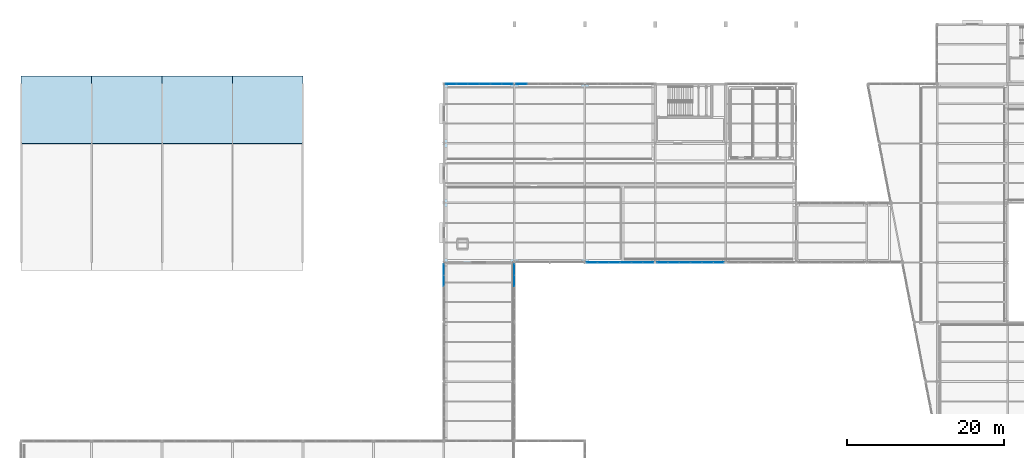
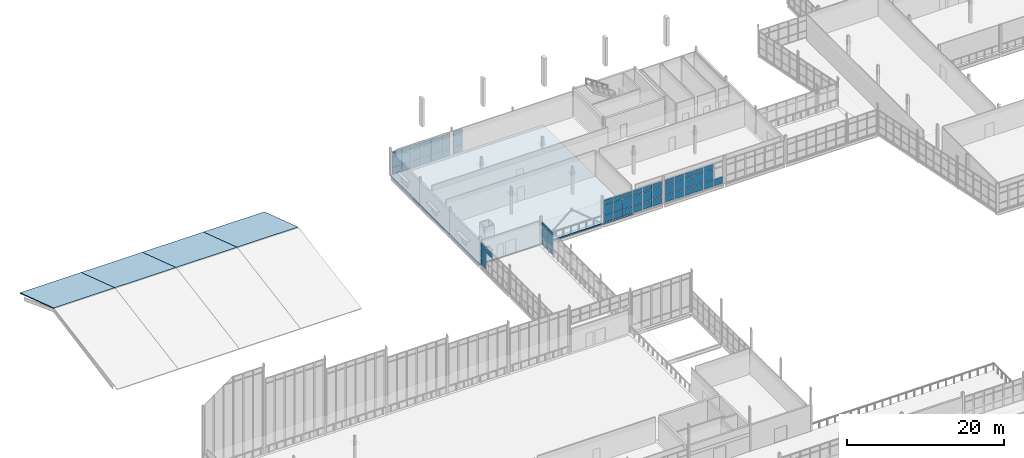
# One storey, part 131 of 166: 65 plates, 5 slabs, 6 elements without a shape of their own.
"""IFC4 building model written with IfcOpenShell, lengths in metres."""

from ifc_helpers import new_model, si_unit, direction, frame, origin, origin_2d, place, context, subcontext, project, spatial, polyline, rectangle, outline, extrude, material, layer, layer_set, type_object, element, aggregate, save


model = new_model("IFC4")

# Units and contexts
model_context = context("Model", 3, precision=1e-05, world=origin(), true_north=direction((0.0, 1.0)))
body_context = subcontext(model_context, "Body", "Model", "MODEL_VIEW")
ifc_project = project(units=[si_unit("LENGTHUNIT", "METRE"), si_unit("AREAUNIT", "SQUARE_METRE"), si_unit("VOLUMEUNIT", "CUBIC_METRE"), si_unit("PLANEANGLEUNIT", "RADIAN"), si_unit("MASSUNIT", "GRAM", prefix="KILO")], contexts=[model_context])

# Site, building, storey
site_placement = place(None, origin())
site = spatial("IfcSite", under=ifc_project, at=site_placement, CompositionType="ELEMENT")
building_placement = place(site_placement, origin())
building = spatial("IfcBuilding", under=site, at=building_placement, Name="Caisbarro Railhouse Central Library", CompositionType="ELEMENT")
storey_placement = place(building_placement, frame((0.0, 0.0, 9.360107421875)))
storey = spatial("IfcBuildingStorey", under=building, at=storey_placement, Name="L02", CompositionType="ELEMENT", Elevation=9.360107421875)

# Curtain wall, plates
ifc_material_1 = material(Name="Anodised architectural aluminium", Category="aluminium")
curtain_wall_type_1 = type_object("IfcCurtainWallType", Name="CW-CW02", PredefinedType="NOTDEFINED", material=ifc_material_1)
curtain_wall_1_placement = place(storey_placement, origin())
curtain_wall_1 = element("IfcCurtainWall", 1, at=curtain_wall_1_placement, inside=storey, type_object=curtain_wall_type_1, Name="CW02 curtain wall L02 #182", PredefinedType="NOTDEFINED")
ifc_material_2 = material(Name="Double low-e laminated solar-control glass", Category="glass")
ifc_layer_1 = layer(ifc_material_2, 0.01806640625, Name="Double low-e laminated solar-control glass")
ifc_layer_set_1 = layer_set([ifc_layer_1], Name="Double low-e laminated solar-control glass")
plate_type_1 = type_object("IfcPlateType", Name="CWP-CP18", PredefinedType="CURTAIN_PANEL", material=ifc_layer_set_1)
plate_1_placement = place(storey_placement, frame((72.902099609375, 83.60009765625, 0.06494140625), z_axis=(0.0, 0.0, 1.0), x_axis=(1.0, 0.0, 0.0)))
plate_1 = element("IfcPlate", 2, at=plate_1_placement, type_object=plate_type_1, Name="CW02 panel 1.1", PredefinedType="CURTAIN_PANEL", context=body_context, shape_type="SweptSolid", body=[
    extrude(rectangle(XDim=1.334228515625, YDim=0.01806640625, at=origin_2d()), origin(), (0.0, 0.0, 1.0), 1.0224609375),
])
plate_2_placement = place(storey_placement, frame((72.902099609375, 83.60009765625, 1.15234375), z_axis=(0.0, 0.0, 1.0), x_axis=(1.0, 0.0, 0.0)))
plate_2 = element("IfcPlate", 3, at=plate_2_placement, type_object=plate_type_1, Name="CW02 panel 1.2", PredefinedType="CURTAIN_PANEL", context=body_context, shape_type="SweptSolid", body=[
    extrude(rectangle(XDim=1.334228515625, YDim=0.01806640625, at=origin_2d()), origin(), (0.0, 0.0, 1.0), 1.544921875),
])
plate_3_placement = place(storey_placement, frame((72.902099609375, 83.60009765625, 2.762451171875), z_axis=(0.0, 0.0, 1.0), x_axis=(1.0, 0.0, 0.0)))
plate_3 = element("IfcPlate", 4, at=plate_3_placement, type_object=plate_type_1, Name="CW02 panel 1.3", PredefinedType="CURTAIN_PANEL", context=body_context, shape_type="SweptSolid", body=[
    extrude(rectangle(XDim=1.334228515625, YDim=0.01806640625, at=origin_2d()), origin(), (0.0, 0.0, 1.0), 0.75244140625),
])
plate_4_placement = place(storey_placement, frame((74.330078125, 83.60009765625, 0.06494140625), z_axis=(0.0, 0.0, 1.0), x_axis=(1.0, 0.0, 0.0)))
plate_4 = element("IfcPlate", 5, at=plate_4_placement, type_object=plate_type_1, Name="CW02 panel 2.1", PredefinedType="CURTAIN_PANEL", context=body_context, shape_type="SweptSolid", body=[
    extrude(rectangle(XDim=1.37158203125, YDim=0.01806640625, at=origin_2d()), origin(), (0.0, 0.0, 1.0), 1.0224609375),
])
plate_5_placement = place(storey_placement, frame((74.330078125, 83.60009765625, 1.15234375), z_axis=(0.0, 0.0, 1.0), x_axis=(1.0, 0.0, 0.0)))
plate_5 = element("IfcPlate", 6, at=plate_5_placement, type_object=plate_type_1, Name="CW02 panel 2.2", PredefinedType="CURTAIN_PANEL", context=body_context, shape_type="SweptSolid", body=[
    extrude(rectangle(XDim=1.37158203125, YDim=0.01806640625, at=origin_2d()), origin(), (0.0, 0.0, 1.0), 1.544921875),
])
plate_6_placement = place(storey_placement, frame((74.330078125, 83.60009765625, 2.762451171875), z_axis=(0.0, 0.0, 1.0), x_axis=(1.0, 0.0, 0.0)))
plate_6 = element("IfcPlate", 7, at=plate_6_placement, type_object=plate_type_1, Name="CW02 panel 2.3", PredefinedType="CURTAIN_PANEL", context=body_context, shape_type="SweptSolid", body=[
    extrude(rectangle(XDim=1.37158203125, YDim=0.01806640625, at=origin_2d()), origin(), (0.0, 0.0, 1.0), 0.75244140625),
])
plate_7_placement = place(storey_placement, frame((75.776611328125, 83.60009765625, 0.06494140625), z_axis=(0.0, 0.0, 1.0), x_axis=(1.0, 0.0, 0.0)))
plate_7 = element("IfcPlate", 8, at=plate_7_placement, type_object=plate_type_1, Name="CW02 panel 3.1", PredefinedType="CURTAIN_PANEL", context=body_context, shape_type="SweptSolid", body=[
    extrude(rectangle(XDim=1.37158203125, YDim=0.01806640625, at=origin_2d()), origin(), (0.0, 0.0, 1.0), 1.0224609375),
])
plate_8_placement = place(storey_placement, frame((75.776611328125, 83.60009765625, 1.15234375), z_axis=(0.0, 0.0, 1.0), x_axis=(1.0, 0.0, 0.0)))
plate_8 = element("IfcPlate", 9, at=plate_8_placement, type_object=plate_type_1, Name="CW02 panel 3.2", PredefinedType="CURTAIN_PANEL", context=body_context, shape_type="SweptSolid", body=[
    extrude(rectangle(XDim=1.37158203125, YDim=0.01806640625, at=origin_2d()), origin(), (0.0, 0.0, 1.0), 1.544921875),
])
plate_9_placement = place(storey_placement, frame((75.776611328125, 83.60009765625, 2.762451171875), z_axis=(0.0, 0.0, 1.0), x_axis=(1.0, 0.0, 0.0)))
plate_9 = element("IfcPlate", 10, at=plate_9_placement, type_object=plate_type_1, Name="CW02 panel 3.3", PredefinedType="CURTAIN_PANEL", context=body_context, shape_type="SweptSolid", body=[
    extrude(rectangle(XDim=1.37158203125, YDim=0.01806640625, at=origin_2d()), origin(), (0.0, 0.0, 1.0), 0.75244140625),
])
plate_10_placement = place(storey_placement, frame((77.223388671875, 83.60009765625, 0.06494140625), z_axis=(0.0, 0.0, 1.0), x_axis=(1.0, 0.0, 0.0)))
plate_10 = element("IfcPlate", 11, at=plate_10_placement, type_object=plate_type_1, Name="CW02 panel 4.1", PredefinedType="CURTAIN_PANEL", context=body_context, shape_type="SweptSolid", body=[
    extrude(rectangle(XDim=1.37158203125, YDim=0.01806640625, at=origin_2d()), origin(), (0.0, 0.0, 1.0), 1.0224609375),
])
plate_11_placement = place(storey_placement, frame((77.223388671875, 83.60009765625, 1.15234375), z_axis=(0.0, 0.0, 1.0), x_axis=(1.0, 0.0, 0.0)))
plate_11 = element("IfcPlate", 12, at=plate_11_placement, type_object=plate_type_1, Name="CW02 panel 4.2", PredefinedType="CURTAIN_PANEL", context=body_context, shape_type="SweptSolid", body=[
    extrude(rectangle(XDim=1.37158203125, YDim=0.01806640625, at=origin_2d()), origin(), (0.0, 0.0, 1.0), 1.544921875),
])
plate_12_placement = place(storey_placement, frame((77.223388671875, 83.60009765625, 2.762451171875), z_axis=(0.0, 0.0, 1.0), x_axis=(1.0, 0.0, 0.0)))
plate_12 = element("IfcPlate", 13, at=plate_12_placement, type_object=plate_type_1, Name="CW02 panel 4.3", PredefinedType="CURTAIN_PANEL", context=body_context, shape_type="SweptSolid", body=[
    extrude(rectangle(XDim=1.37158203125, YDim=0.01806640625, at=origin_2d()), origin(), (0.0, 0.0, 1.0), 0.75244140625),
])
plate_13_placement = place(storey_placement, frame((78.669921875, 83.60009765625, 0.06494140625), z_axis=(0.0, 0.0, 1.0), x_axis=(1.0, 0.0, 0.0)))
plate_13 = element("IfcPlate", 14, at=plate_13_placement, type_object=plate_type_1, Name="CW02 panel 5.1", PredefinedType="CURTAIN_PANEL", context=body_context, shape_type="SweptSolid", body=[
    extrude(rectangle(XDim=1.37158203125, YDim=0.01806640625, at=origin_2d()), origin(), (0.0, 0.0, 1.0), 1.0224609375),
])
plate_14_placement = place(storey_placement, frame((78.669921875, 83.60009765625, 1.15234375), z_axis=(0.0, 0.0, 1.0), x_axis=(1.0, 0.0, 0.0)))
plate_14 = element("IfcPlate", 15, at=plate_14_placement, type_object=plate_type_1, Name="CW02 panel 5.2", PredefinedType="CURTAIN_PANEL", context=body_context, shape_type="SweptSolid", body=[
    extrude(rectangle(XDim=1.37158203125, YDim=0.01806640625, at=origin_2d()), origin(), (0.0, 0.0, 1.0), 1.544921875),
])
plate_15_placement = place(storey_placement, frame((78.669921875, 83.60009765625, 2.762451171875), z_axis=(0.0, 0.0, 1.0), x_axis=(1.0, 0.0, 0.0)))
plate_15 = element("IfcPlate", 16, at=plate_15_placement, type_object=plate_type_1, Name="CW02 panel 5.3", PredefinedType="CURTAIN_PANEL", context=body_context, shape_type="SweptSolid", body=[
    extrude(rectangle(XDim=1.37158203125, YDim=0.01806640625, at=origin_2d()), origin(), (0.0, 0.0, 1.0), 0.75244140625),
])
plate_16_placement = place(storey_placement, frame((80.097900390625, 83.60009765625, 0.06494140625), z_axis=(0.0, 0.0, 1.0), x_axis=(1.0, 0.0, 0.0)))
plate_16 = element("IfcPlate", 17, at=plate_16_placement, type_object=plate_type_1, Name="CW02 panel 6.1", PredefinedType="CURTAIN_PANEL", context=body_context, shape_type="SweptSolid", body=[
    extrude(rectangle(XDim=1.334228515625, YDim=0.01806640625, at=origin_2d()), origin(), (0.0, 0.0, 1.0), 1.0224609375),
])
plate_17_placement = place(storey_placement, frame((80.097900390625, 83.60009765625, 1.15234375), z_axis=(0.0, 0.0, 1.0), x_axis=(1.0, 0.0, 0.0)))
plate_17 = element("IfcPlate", 18, at=plate_17_placement, type_object=plate_type_1, Name="CW02 panel 6.2", PredefinedType="CURTAIN_PANEL", context=body_context, shape_type="SweptSolid", body=[
    extrude(rectangle(XDim=1.334228515625, YDim=0.01806640625, at=origin_2d()), origin(), (0.0, 0.0, 1.0), 1.544921875),
])
plate_18_placement = place(storey_placement, frame((80.097900390625, 83.60009765625, 2.762451171875), z_axis=(0.0, 0.0, 1.0), x_axis=(1.0, 0.0, 0.0)))
plate_18 = element("IfcPlate", 19, at=plate_18_placement, type_object=plate_type_1, Name="CW02 panel 6.3", PredefinedType="CURTAIN_PANEL", context=body_context, shape_type="SweptSolid", body=[
    extrude(rectangle(XDim=1.334228515625, YDim=0.01806640625, at=origin_2d()), origin(), (0.0, 0.0, 1.0), 0.75244140625),
])
aggregate(curtain_wall_1, [plate_1, plate_2, plate_3, plate_4, plate_5, plate_6, plate_7, plate_8, plate_9, plate_10, plate_11, plate_12, plate_13, plate_14, plate_15, plate_16, plate_17, plate_18])

curtain_wall_2_placement = place(storey_placement, origin())
curtain_wall_2 = element("IfcCurtainWall", 20, at=curtain_wall_2_placement, inside=storey, type_object=curtain_wall_type_1, Name="CW02 curtain wall L02 #184", PredefinedType="NOTDEFINED")
plate_19_placement = place(storey_placement, frame((81.902099609375, 83.60009765625, 0.06494140625), z_axis=(0.0, 0.0, 1.0), x_axis=(1.0, 0.0, 0.0)))
plate_19 = element("IfcPlate", 21, at=plate_19_placement, type_object=plate_type_1, Name="CW02 panel 1.1", PredefinedType="CURTAIN_PANEL", context=body_context, shape_type="SweptSolid", body=[
    extrude(rectangle(XDim=1.334228515625, YDim=0.01806640625, at=origin_2d()), origin(), (0.0, 0.0, 1.0), 1.0224609375),
])
plate_20_placement = place(storey_placement, frame((81.902099609375, 83.60009765625, 1.15234375), z_axis=(0.0, 0.0, 1.0), x_axis=(1.0, 0.0, 0.0)))
plate_20 = element("IfcPlate", 22, at=plate_20_placement, type_object=plate_type_1, Name="CW02 panel 1.2", PredefinedType="CURTAIN_PANEL", context=body_context, shape_type="SweptSolid", body=[
    extrude(rectangle(XDim=1.334228515625, YDim=0.01806640625, at=origin_2d()), origin(), (0.0, 0.0, 1.0), 1.544921875),
])
plate_21_placement = place(storey_placement, frame((81.902099609375, 83.60009765625, 2.762451171875), z_axis=(0.0, 0.0, 1.0), x_axis=(1.0, 0.0, 0.0)))
plate_21 = element("IfcPlate", 23, at=plate_21_placement, type_object=plate_type_1, Name="CW02 panel 1.3", PredefinedType="CURTAIN_PANEL", context=body_context, shape_type="SweptSolid", body=[
    extrude(rectangle(XDim=1.334228515625, YDim=0.01806640625, at=origin_2d()), origin(), (0.0, 0.0, 1.0), 0.75244140625),
])
plate_22_placement = place(storey_placement, frame((83.330078125, 83.60009765625, 0.06494140625), z_axis=(0.0, 0.0, 1.0), x_axis=(1.0, 0.0, 0.0)))
plate_22 = element("IfcPlate", 24, at=plate_22_placement, type_object=plate_type_1, Name="CW02 panel 2.1", PredefinedType="CURTAIN_PANEL", context=body_context, shape_type="SweptSolid", body=[
    extrude(rectangle(XDim=1.37158203125, YDim=0.01806640625, at=origin_2d()), origin(), (0.0, 0.0, 1.0), 1.0224609375),
])
plate_23_placement = place(storey_placement, frame((83.330078125, 83.60009765625, 1.15234375), z_axis=(0.0, 0.0, 1.0), x_axis=(1.0, 0.0, 0.0)))
plate_23 = element("IfcPlate", 25, at=plate_23_placement, type_object=plate_type_1, Name="CW02 panel 2.2", PredefinedType="CURTAIN_PANEL", context=body_context, shape_type="SweptSolid", body=[
    extrude(rectangle(XDim=1.37158203125, YDim=0.01806640625, at=origin_2d()), origin(), (0.0, 0.0, 1.0), 1.544921875),
])
plate_24_placement = place(storey_placement, frame((83.330078125, 83.60009765625, 2.762451171875), z_axis=(0.0, 0.0, 1.0), x_axis=(1.0, 0.0, 0.0)))
plate_24 = element("IfcPlate", 26, at=plate_24_placement, type_object=plate_type_1, Name="CW02 panel 2.3", PredefinedType="CURTAIN_PANEL", context=body_context, shape_type="SweptSolid", body=[
    extrude(rectangle(XDim=1.37158203125, YDim=0.01806640625, at=origin_2d()), origin(), (0.0, 0.0, 1.0), 0.75244140625),
])
plate_25_placement = place(storey_placement, frame((84.776611328125, 83.60009765625, 0.06494140625), z_axis=(0.0, 0.0, 1.0), x_axis=(1.0, 0.0, 0.0)))
plate_25 = element("IfcPlate", 27, at=plate_25_placement, type_object=plate_type_1, Name="CW02 panel 3.1", PredefinedType="CURTAIN_PANEL", context=body_context, shape_type="SweptSolid", body=[
    extrude(rectangle(XDim=1.37158203125, YDim=0.01806640625, at=origin_2d()), origin(), (0.0, 0.0, 1.0), 1.0224609375),
])
plate_26_placement = place(storey_placement, frame((84.776611328125, 83.60009765625, 1.15234375), z_axis=(0.0, 0.0, 1.0), x_axis=(1.0, 0.0, 0.0)))
plate_26 = element("IfcPlate", 28, at=plate_26_placement, type_object=plate_type_1, Name="CW02 panel 3.2", PredefinedType="CURTAIN_PANEL", context=body_context, shape_type="SweptSolid", body=[
    extrude(rectangle(XDim=1.37158203125, YDim=0.01806640625, at=origin_2d()), origin(), (0.0, 0.0, 1.0), 1.544921875),
])
plate_27_placement = place(storey_placement, frame((84.776611328125, 83.60009765625, 2.762451171875), z_axis=(0.0, 0.0, 1.0), x_axis=(1.0, 0.0, 0.0)))
plate_27 = element("IfcPlate", 29, at=plate_27_placement, type_object=plate_type_1, Name="CW02 panel 3.3", PredefinedType="CURTAIN_PANEL", context=body_context, shape_type="SweptSolid", body=[
    extrude(rectangle(XDim=1.37158203125, YDim=0.01806640625, at=origin_2d()), origin(), (0.0, 0.0, 1.0), 0.75244140625),
])
plate_28_placement = place(storey_placement, frame((86.223388671875, 83.60009765625, 0.06494140625), z_axis=(0.0, 0.0, 1.0), x_axis=(1.0, 0.0, 0.0)))
plate_28 = element("IfcPlate", 30, at=plate_28_placement, type_object=plate_type_1, Name="CW02 panel 4.1", PredefinedType="CURTAIN_PANEL", context=body_context, shape_type="SweptSolid", body=[
    extrude(rectangle(XDim=1.37158203125, YDim=0.01806640625, at=origin_2d()), origin(), (0.0, 0.0, 1.0), 1.0224609375),
])
plate_29_placement = place(storey_placement, frame((86.223388671875, 83.60009765625, 1.15234375), z_axis=(0.0, 0.0, 1.0), x_axis=(1.0, 0.0, 0.0)))
plate_29 = element("IfcPlate", 31, at=plate_29_placement, type_object=plate_type_1, Name="CW02 panel 4.2", PredefinedType="CURTAIN_PANEL", context=body_context, shape_type="SweptSolid", body=[
    extrude(rectangle(XDim=1.37158203125, YDim=0.01806640625, at=origin_2d()), origin(), (0.0, 0.0, 1.0), 1.544921875),
])
plate_30_placement = place(storey_placement, frame((86.223388671875, 83.60009765625, 2.762451171875), z_axis=(0.0, 0.0, 1.0), x_axis=(1.0, 0.0, 0.0)))
plate_30 = element("IfcPlate", 32, at=plate_30_placement, type_object=plate_type_1, Name="CW02 panel 4.3", PredefinedType="CURTAIN_PANEL", context=body_context, shape_type="SweptSolid", body=[
    extrude(rectangle(XDim=1.37158203125, YDim=0.01806640625, at=origin_2d()), origin(), (0.0, 0.0, 1.0), 0.75244140625),
])
plate_31_placement = place(storey_placement, frame((87.669921875, 83.60009765625, 0.06494140625), z_axis=(0.0, 0.0, 1.0), x_axis=(1.0, 0.0, 0.0)))
plate_31 = element("IfcPlate", 33, at=plate_31_placement, type_object=plate_type_1, Name="CW02 panel 5.1", PredefinedType="CURTAIN_PANEL", context=body_context, shape_type="SweptSolid", body=[
    extrude(rectangle(XDim=1.37158203125, YDim=0.01806640625, at=origin_2d()), origin(), (0.0, 0.0, 1.0), 1.0224609375),
])
plate_32_placement = place(storey_placement, frame((87.669921875, 83.60009765625, 1.15234375), z_axis=(0.0, 0.0, 1.0), x_axis=(1.0, 0.0, 0.0)))
plate_32 = element("IfcPlate", 34, at=plate_32_placement, type_object=plate_type_1, Name="CW02 panel 5.2", PredefinedType="CURTAIN_PANEL", context=body_context, shape_type="SweptSolid", body=[
    extrude(rectangle(XDim=1.37158203125, YDim=0.01806640625, at=origin_2d()), origin(), (0.0, 0.0, 1.0), 1.544921875),
])
plate_33_placement = place(storey_placement, frame((87.669921875, 83.60009765625, 2.762451171875), z_axis=(0.0, 0.0, 1.0), x_axis=(1.0, 0.0, 0.0)))
plate_33 = element("IfcPlate", 35, at=plate_33_placement, type_object=plate_type_1, Name="CW02 panel 5.3", PredefinedType="CURTAIN_PANEL", context=body_context, shape_type="SweptSolid", body=[
    extrude(rectangle(XDim=1.37158203125, YDim=0.01806640625, at=origin_2d()), origin(), (0.0, 0.0, 1.0), 0.75244140625),
])
plate_34_placement = place(storey_placement, frame((89.097900390625, 83.60009765625, 0.06494140625), z_axis=(0.0, 0.0, 1.0), x_axis=(1.0, 0.0, 0.0)))
plate_34 = element("IfcPlate", 36, at=plate_34_placement, type_object=plate_type_1, Name="CW02 panel 6.1", PredefinedType="CURTAIN_PANEL", context=body_context, shape_type="SweptSolid", body=[
    extrude(rectangle(XDim=1.334228515625, YDim=0.01806640625, at=origin_2d()), origin(), (0.0, 0.0, 1.0), 1.0224609375),
])
aggregate(curtain_wall_2, [plate_19, plate_20, plate_21, plate_22, plate_23, plate_24, plate_25, plate_26, plate_27, plate_28, plate_29, plate_30, plate_31, plate_32, plate_33, plate_34])

curtain_wall_type_2 = type_object("IfcCurtainWallType", Name="CW-CW03", PredefinedType="NOTDEFINED", material=ifc_material_1)
curtain_wall_3_placement = place(storey_placement, origin())
curtain_wall_3 = element("IfcCurtainWall", 37, at=curtain_wall_3_placement, inside=storey, type_object=curtain_wall_type_2, Name="CW03 curtain wall L02 #206", PredefinedType="NOTDEFINED")
plate_35_placement = place(storey_placement, frame((54.0, 81.256103515625, 2.7724609375), z_axis=(0.0, 0.0, 1.0), x_axis=(0.0, 1.0, 0.0)))
plate_35 = element("IfcPlate", 38, at=plate_35_placement, type_object=plate_type_1, Name="CW03 panel 4.3", PredefinedType="CURTAIN_PANEL", context=body_context, shape_type="SweptSolid", body=[
    extrude(rectangle(XDim=1.39111328125, YDim=0.01806640625, at=origin_2d()), origin(), (0.0, 0.0, 1.0), 0.75244140625),
])
plate_36_placement = place(storey_placement, frame((54.0, 82.69580078125, 0.06494140625), z_axis=(0.0, 0.0, 1.0), x_axis=(0.0, 1.0, 0.0)))
plate_36 = element("IfcPlate", 39, at=plate_36_placement, type_object=plate_type_1, Name="CW03 panel 5.1", PredefinedType="CURTAIN_PANEL", context=body_context, shape_type="SweptSolid", body=[
    extrude(rectangle(XDim=1.3583984375, YDim=0.01806640625, at=origin_2d()), origin(), (0.0, 0.0, 1.0), 1.0224609375),
])
plate_37_placement = place(storey_placement, frame((54.0, 82.69580078125, 1.15234375), z_axis=(0.0, 0.0, 1.0), x_axis=(0.0, 1.0, 0.0)))
plate_37 = element("IfcPlate", 40, at=plate_37_placement, type_object=plate_type_1, Name="CW03 panel 5.2", PredefinedType="CURTAIN_PANEL", context=body_context, shape_type="SweptSolid", body=[
    extrude(rectangle(XDim=1.3583984375, YDim=0.01806640625, at=origin_2d()), origin(), (0.0, 0.0, 1.0), 1.554931640625),
])
plate_38_placement = place(storey_placement, frame((54.0, 82.69580078125, 2.7724609375), z_axis=(0.0, 0.0, 1.0), x_axis=(0.0, 1.0, 0.0)))
plate_38 = element("IfcPlate", 41, at=plate_38_placement, type_object=plate_type_1, Name="CW03 panel 5.3", PredefinedType="CURTAIN_PANEL", context=body_context, shape_type="SweptSolid", body=[
    extrude(rectangle(XDim=1.3583984375, YDim=0.01806640625, at=origin_2d()), origin(), (0.0, 0.0, 1.0), 0.75244140625),
])
aggregate(curtain_wall_3, [plate_35, plate_36, plate_37, plate_38])

curtain_wall_4_placement = place(storey_placement, origin())
curtain_wall_4 = element("IfcCurtainWall", 42, at=curtain_wall_4_placement, inside=storey, type_object=curtain_wall_type_2, Name="CW03 curtain wall L02 #207", PredefinedType="NOTDEFINED")
plate_39_placement = place(storey_placement, frame((63.0, 81.256103515625, 0.06494140625), z_axis=(0.0, 0.0, 1.0), x_axis=(0.0, 1.0, 0.0)))
plate_39 = element("IfcPlate", 43, at=plate_39_placement, type_object=plate_type_1, Name="CW03 panel 4.1", PredefinedType="CURTAIN_PANEL", context=body_context, shape_type="SweptSolid", body=[
    extrude(rectangle(XDim=1.39111328125, YDim=0.01806640625, at=origin_2d()), origin(), (0.0, 0.0, 1.0), 1.0224609375),
])
plate_40_placement = place(storey_placement, frame((63.0, 81.256103515625, 1.15234375), z_axis=(0.0, 0.0, 1.0), x_axis=(0.0, 1.0, 0.0)))
plate_40 = element("IfcPlate", 44, at=plate_40_placement, type_object=plate_type_1, Name="CW03 panel 4.2", PredefinedType="CURTAIN_PANEL", context=body_context, shape_type="SweptSolid", body=[
    extrude(rectangle(XDim=1.39111328125, YDim=0.01806640625, at=origin_2d()), origin(), (0.0, 0.0, 1.0), 1.554931640625),
])
plate_41_placement = place(storey_placement, frame((63.0, 81.256103515625, 2.7724609375), z_axis=(0.0, 0.0, 1.0), x_axis=(0.0, 1.0, 0.0)))
plate_41 = element("IfcPlate", 45, at=plate_41_placement, type_object=plate_type_1, Name="CW03 panel 4.3", PredefinedType="CURTAIN_PANEL", context=body_context, shape_type="SweptSolid", body=[
    extrude(rectangle(XDim=1.39111328125, YDim=0.01806640625, at=origin_2d()), origin(), (0.0, 0.0, 1.0), 0.75244140625),
])
plate_42_placement = place(storey_placement, frame((63.0, 82.69580078125, 0.06494140625), z_axis=(0.0, 0.0, 1.0), x_axis=(0.0, 1.0, 0.0)))
plate_42 = element("IfcPlate", 46, at=plate_42_placement, type_object=plate_type_1, Name="CW03 panel 5.1", PredefinedType="CURTAIN_PANEL", context=body_context, shape_type="SweptSolid", body=[
    extrude(rectangle(XDim=1.3583984375, YDim=0.01806640625, at=origin_2d()), origin(), (0.0, 0.0, 1.0), 1.0224609375),
])
plate_43_placement = place(storey_placement, frame((63.0, 82.69580078125, 1.15234375), z_axis=(0.0, 0.0, 1.0), x_axis=(0.0, 1.0, 0.0)))
plate_43 = element("IfcPlate", 47, at=plate_43_placement, type_object=plate_type_1, Name="CW03 panel 5.2", PredefinedType="CURTAIN_PANEL", context=body_context, shape_type="SweptSolid", body=[
    extrude(rectangle(XDim=1.3583984375, YDim=0.01806640625, at=origin_2d()), origin(), (0.0, 0.0, 1.0), 1.554931640625),
])
plate_44_placement = place(storey_placement, frame((63.0, 82.69580078125, 2.7724609375), z_axis=(0.0, 0.0, 1.0), x_axis=(0.0, 1.0, 0.0)))
plate_44 = element("IfcPlate", 48, at=plate_44_placement, type_object=plate_type_1, Name="CW03 panel 5.3", PredefinedType="CURTAIN_PANEL", context=body_context, shape_type="SweptSolid", body=[
    extrude(rectangle(XDim=1.3583984375, YDim=0.01806640625, at=origin_2d()), origin(), (0.0, 0.0, 1.0), 0.75244140625),
])
aggregate(curtain_wall_4, [plate_39, plate_40, plate_41, plate_42, plate_43, plate_44])

curtain_wall_5_placement = place(storey_placement, origin())
curtain_wall_5 = element("IfcCurtainWall", 49, at=curtain_wall_5_placement, inside=storey, type_object=curtain_wall_type_2, Name="CW03 curtain wall L02 #180", PredefinedType="NOTDEFINED")
ifc_layer_2 = layer(ifc_material_2, 0.0380859375, Name="Double low-e laminated solar-control glass")
ifc_layer_set_2 = layer_set([ifc_layer_2], Name="Double low-e laminated solar-control glass")
plate_type_2 = type_object("IfcPlateType", Name="CWP-CP38", PredefinedType="CURTAIN_PANEL", material=ifc_layer_set_2)
plate_45_placement = place(storey_placement, frame((54.899658203125, 106.39990234375, 0.07470703125), z_axis=(0.0, 0.0, 1.0), x_axis=(1.0, 0.0, 0.0)))
plate_45 = element("IfcPlate", 50, at=plate_45_placement, type_object=plate_type_2, Name="CW03 panel 1.1", PredefinedType="CURTAIN_PANEL", context=body_context, shape_type="SweptSolid", body=[
    extrude(rectangle(XDim=1.34912109375, YDim=0.0380859375, at=origin_2d()), origin(), (0.0, 0.0, 1.0), 1.007568359375),
])
plate_46_placement = place(storey_placement, frame((54.899658203125, 106.39990234375, 1.1572265625), z_axis=(0.0, 0.0, 1.0), x_axis=(1.0, 0.0, 0.0)))
plate_46 = element("IfcPlate", 51, at=plate_46_placement, type_object=plate_type_2, Name="CW03 panel 1.2", PredefinedType="CURTAIN_PANEL", context=body_context, shape_type="SweptSolid", body=[
    extrude(rectangle(XDim=1.34912109375, YDim=0.0380859375, at=origin_2d()), origin(), (0.0, 0.0, 1.0), 1.534912109375),
])
plate_47_placement = place(storey_placement, frame((54.899658203125, 106.39990234375, 2.767578125), z_axis=(0.0, 0.0, 1.0), x_axis=(1.0, 0.0, 0.0)))
plate_47 = element("IfcPlate", 52, at=plate_47_placement, type_object=plate_type_2, Name="CW03 panel 1.3", PredefinedType="CURTAIN_PANEL", context=body_context, shape_type="SweptSolid", body=[
    extrude(rectangle(XDim=1.34912109375, YDim=0.0380859375, at=origin_2d()), origin(), (0.0, 0.0, 1.0), 0.737548828125),
])
plate_48_placement = place(storey_placement, frame((56.330078125, 106.39990234375, 0.07470703125), z_axis=(0.0, 0.0, 1.0), x_axis=(1.0, 0.0, 0.0)))
plate_48 = element("IfcPlate", 53, at=plate_48_placement, type_object=plate_type_2, Name="CW03 panel 2.1", PredefinedType="CURTAIN_PANEL", context=body_context, shape_type="SweptSolid", body=[
    extrude(rectangle(XDim=1.381591796875, YDim=0.0380859375, at=origin_2d()), origin(), (0.0, 0.0, 1.0), 1.007568359375),
])
plate_49_placement = place(storey_placement, frame((56.330078125, 106.39990234375, 1.1572265625), z_axis=(0.0, 0.0, 1.0), x_axis=(1.0, 0.0, 0.0)))
plate_49 = element("IfcPlate", 54, at=plate_49_placement, type_object=plate_type_2, Name="CW03 panel 2.2", PredefinedType="CURTAIN_PANEL", context=body_context, shape_type="SweptSolid", body=[
    extrude(rectangle(XDim=1.381591796875, YDim=0.0380859375, at=origin_2d()), origin(), (0.0, 0.0, 1.0), 1.534912109375),
])
plate_50_placement = place(storey_placement, frame((56.330078125, 106.39990234375, 2.767578125), z_axis=(0.0, 0.0, 1.0), x_axis=(1.0, 0.0, 0.0)))
plate_50 = element("IfcPlate", 55, at=plate_50_placement, type_object=plate_type_2, Name="CW03 panel 2.3", PredefinedType="CURTAIN_PANEL", context=body_context, shape_type="SweptSolid", body=[
    extrude(rectangle(XDim=1.381591796875, YDim=0.0380859375, at=origin_2d()), origin(), (0.0, 0.0, 1.0), 0.737548828125),
])
plate_51_placement = place(storey_placement, frame((57.776611328125, 106.39990234375, 0.07470703125), z_axis=(0.0, 0.0, 1.0), x_axis=(1.0, 0.0, 0.0)))
plate_51 = element("IfcPlate", 56, at=plate_51_placement, type_object=plate_type_2, Name="CW03 panel 3.1", PredefinedType="CURTAIN_PANEL", context=body_context, shape_type="SweptSolid", body=[
    extrude(rectangle(XDim=1.381591796875, YDim=0.0380859375, at=origin_2d()), origin(), (0.0, 0.0, 1.0), 1.007568359375),
])
plate_52_placement = place(storey_placement, frame((57.776611328125, 106.39990234375, 1.1572265625), z_axis=(0.0, 0.0, 1.0), x_axis=(1.0, 0.0, 0.0)))
plate_52 = element("IfcPlate", 57, at=plate_52_placement, type_object=plate_type_2, Name="CW03 panel 3.2", PredefinedType="CURTAIN_PANEL", context=body_context, shape_type="SweptSolid", body=[
    extrude(rectangle(XDim=1.381591796875, YDim=0.0380859375, at=origin_2d()), origin(), (0.0, 0.0, 1.0), 1.534912109375),
])
plate_53_placement = place(storey_placement, frame((57.776611328125, 106.39990234375, 2.767578125), z_axis=(0.0, 0.0, 1.0), x_axis=(1.0, 0.0, 0.0)))
plate_53 = element("IfcPlate", 58, at=plate_53_placement, type_object=plate_type_2, Name="CW03 panel 3.3", PredefinedType="CURTAIN_PANEL", context=body_context, shape_type="SweptSolid", body=[
    extrude(rectangle(XDim=1.381591796875, YDim=0.0380859375, at=origin_2d()), origin(), (0.0, 0.0, 1.0), 0.737548828125),
])
plate_54_placement = place(storey_placement, frame((59.223388671875, 106.39990234375, 0.07470703125), z_axis=(0.0, 0.0, 1.0), x_axis=(1.0, 0.0, 0.0)))
plate_54 = element("IfcPlate", 59, at=plate_54_placement, type_object=plate_type_2, Name="CW03 panel 4.1", PredefinedType="CURTAIN_PANEL", context=body_context, shape_type="SweptSolid", body=[
    extrude(rectangle(XDim=1.381591796875, YDim=0.0380859375, at=origin_2d()), origin(), (0.0, 0.0, 1.0), 1.007568359375),
])
plate_55_placement = place(storey_placement, frame((59.223388671875, 106.39990234375, 1.1572265625), z_axis=(0.0, 0.0, 1.0), x_axis=(1.0, 0.0, 0.0)))
plate_55 = element("IfcPlate", 60, at=plate_55_placement, type_object=plate_type_2, Name="CW03 panel 4.2", PredefinedType="CURTAIN_PANEL", context=body_context, shape_type="SweptSolid", body=[
    extrude(rectangle(XDim=1.381591796875, YDim=0.0380859375, at=origin_2d()), origin(), (0.0, 0.0, 1.0), 1.534912109375),
])
plate_56_placement = place(storey_placement, frame((59.223388671875, 106.39990234375, 2.767578125), z_axis=(0.0, 0.0, 1.0), x_axis=(1.0, 0.0, 0.0)))
plate_56 = element("IfcPlate", 61, at=plate_56_placement, type_object=plate_type_2, Name="CW03 panel 4.3", PredefinedType="CURTAIN_PANEL", context=body_context, shape_type="SweptSolid", body=[
    extrude(rectangle(XDim=1.381591796875, YDim=0.0380859375, at=origin_2d()), origin(), (0.0, 0.0, 1.0), 0.737548828125),
])
plate_57_placement = place(storey_placement, frame((60.669921875, 106.39990234375, 0.07470703125), z_axis=(0.0, 0.0, 1.0), x_axis=(1.0, 0.0, 0.0)))
plate_57 = element("IfcPlate", 62, at=plate_57_placement, type_object=plate_type_2, Name="CW03 panel 5.1", PredefinedType="CURTAIN_PANEL", context=body_context, shape_type="SweptSolid", body=[
    extrude(rectangle(XDim=1.381591796875, YDim=0.0380859375, at=origin_2d()), origin(), (0.0, 0.0, 1.0), 1.007568359375),
])
plate_58_placement = place(storey_placement, frame((60.669921875, 106.39990234375, 1.1572265625), z_axis=(0.0, 0.0, 1.0), x_axis=(1.0, 0.0, 0.0)))
plate_58 = element("IfcPlate", 63, at=plate_58_placement, type_object=plate_type_2, Name="CW03 panel 5.2", PredefinedType="CURTAIN_PANEL", context=body_context, shape_type="SweptSolid", body=[
    extrude(rectangle(XDim=1.381591796875, YDim=0.0380859375, at=origin_2d()), origin(), (0.0, 0.0, 1.0), 1.534912109375),
])
plate_59_placement = place(storey_placement, frame((60.669921875, 106.39990234375, 2.767578125), z_axis=(0.0, 0.0, 1.0), x_axis=(1.0, 0.0, 0.0)))
plate_59 = element("IfcPlate", 64, at=plate_59_placement, type_object=plate_type_2, Name="CW03 panel 5.3", PredefinedType="CURTAIN_PANEL", context=body_context, shape_type="SweptSolid", body=[
    extrude(rectangle(XDim=1.381591796875, YDim=0.0380859375, at=origin_2d()), origin(), (0.0, 0.0, 1.0), 0.737548828125),
])
plate_60_placement = place(storey_placement, frame((62.100341796875, 106.39990234375, 0.07470703125), z_axis=(0.0, 0.0, 1.0), x_axis=(1.0, 0.0, 0.0)))
plate_60 = element("IfcPlate", 65, at=plate_60_placement, type_object=plate_type_2, Name="CW03 panel 6.1", PredefinedType="CURTAIN_PANEL", context=body_context, shape_type="SweptSolid", body=[
    extrude(rectangle(XDim=1.34912109375, YDim=0.0380859375, at=origin_2d()), origin(), (0.0, 0.0, 1.0), 1.007568359375),
])
plate_61_placement = place(storey_placement, frame((62.100341796875, 106.39990234375, 1.1572265625), z_axis=(0.0, 0.0, 1.0), x_axis=(1.0, 0.0, 0.0)))
plate_61 = element("IfcPlate", 66, at=plate_61_placement, type_object=plate_type_2, Name="CW03 panel 6.2", PredefinedType="CURTAIN_PANEL", context=body_context, shape_type="SweptSolid", body=[
    extrude(rectangle(XDim=1.34912109375, YDim=0.0380859375, at=origin_2d()), origin(), (0.0, 0.0, 1.0), 1.534912109375),
])
plate_62_placement = place(storey_placement, frame((62.100341796875, 106.39990234375, 2.767578125), z_axis=(0.0, 0.0, 1.0), x_axis=(1.0, 0.0, 0.0)))
plate_62 = element("IfcPlate", 67, at=plate_62_placement, type_object=plate_type_2, Name="CW03 panel 6.3", PredefinedType="CURTAIN_PANEL", context=body_context, shape_type="SweptSolid", body=[
    extrude(rectangle(XDim=1.34912109375, YDim=0.0380859375, at=origin_2d()), origin(), (0.0, 0.0, 1.0), 0.737548828125),
])
aggregate(curtain_wall_5, [plate_45, plate_46, plate_47, plate_48, plate_49, plate_50, plate_51, plate_52, plate_53, plate_54, plate_55, plate_56, plate_57, plate_58, plate_59, plate_60, plate_61, plate_62])

curtain_wall_6_placement = place(storey_placement, origin())
curtain_wall_6 = element("IfcCurtainWall", 68, at=curtain_wall_6_placement, inside=storey, type_object=curtain_wall_type_2, Name="CW03 curtain wall L02 #181", PredefinedType="NOTDEFINED")
plate_63_placement = place(storey_placement, frame((63.899658203125, 106.39990234375, 0.07470703125), z_axis=(0.0, 0.0, 1.0), x_axis=(1.0, 0.0, 0.0)))
plate_63 = element("IfcPlate", 69, at=plate_63_placement, type_object=plate_type_2, Name="CW03 panel 1.1", PredefinedType="CURTAIN_PANEL", context=body_context, shape_type="SweptSolid", body=[
    extrude(rectangle(XDim=1.34912109375, YDim=0.0380859375, at=origin_2d()), origin(), (0.0, 0.0, 1.0), 1.007568359375),
])
plate_64_placement = place(storey_placement, frame((63.899658203125, 106.39990234375, 1.1572265625), z_axis=(0.0, 0.0, 1.0), x_axis=(1.0, 0.0, 0.0)))
plate_64 = element("IfcPlate", 70, at=plate_64_placement, type_object=plate_type_2, Name="CW03 panel 1.2", PredefinedType="CURTAIN_PANEL", context=body_context, shape_type="SweptSolid", body=[
    extrude(rectangle(XDim=1.34912109375, YDim=0.0380859375, at=origin_2d()), origin(), (0.0, 0.0, 1.0), 1.534912109375),
])
plate_65_placement = place(storey_placement, frame((63.899658203125, 106.39990234375, 2.767578125), z_axis=(0.0, 0.0, 1.0), x_axis=(1.0, 0.0, 0.0)))
plate_65 = element("IfcPlate", 71, at=plate_65_placement, type_object=plate_type_2, Name="CW03 panel 1.3", PredefinedType="CURTAIN_PANEL", context=body_context, shape_type="SweptSolid", body=[
    extrude(rectangle(XDim=1.34912109375, YDim=0.0380859375, at=origin_2d()), origin(), (0.0, 0.0, 1.0), 0.737548828125),
])
aggregate(curtain_wall_6, [plate_63, plate_64, plate_65])

# Slabs
ifc_material_3 = material(Name="Concrete C35", Category="concrete")
ifc_layer_3 = layer(ifc_material_3, 0.199951171875, Name="Concrete C35")
ifc_layer_set_3 = layer_set([ifc_layer_3], Name="Concrete C35")
slab_type_1 = type_object("IfcSlabType", Name="SLB-FL20", PredefinedType="FLOOR", material=ifc_layer_set_3)
slab_placement = place(storey_placement, frame((0.0, 0.0, -0.2001953125)))
element("IfcSlab", 72, at=slab_placement, inside=storey, type_object=slab_type_1, Name="SF20 structural slab L02 V6.1", PredefinedType="FLOOR", context=body_context, shape_type="SweptSolid", body=[
    extrude(outline(polyline([(54.0, 83.60009765625), (76.5, 83.60009765625), (76.5, 106.39990234375), (54.0, 106.39990234375), (54.0, 83.60009765625)]), holes=[polyline([(55.800048828125, 85.39990234375), (56.9599609375, 85.39990234375), (56.9599609375, 86.52001953125), (55.800048828125, 86.52001953125), (55.800048828125, 85.39990234375)])]), origin(), (0.0, 0.0, 1.0), 0.2001953125),
])
ifc_layer_4 = layer(ifc_material_3, 0.14990234375, Name="Concrete C35")
ifc_layer_set_4 = layer_set([ifc_layer_4], Name="Concrete C35")
slab_type_2 = type_object("IfcSlabType", Name="SLB-RF15", PredefinedType="ROOF", material=ifc_layer_set_4)
for number, where, z_axis, x_axis, name in (
    (73, (0.0, 98.800048828125, 2.83984375), (0.0, 0.313565849244, 0.949566458015), (1.0, 0.0, 0.0), "V2 Folded North Roof Facet 1"),
    (74, (9.0, 98.800048828125, 2.83984375), (0.0, 0.313565849244, 0.949566458015), (1.0, 0.0, 0.0), "V2 Folded North Roof Facet 2"),
    (75, (18.0, 98.800048828125, 2.83984375), (0.0, 0.313565849244, 0.949566458015), (1.0, 0.0, 0.0), "V2 Folded North Roof Facet 3"),
    (76, (27.0, 98.800048828125, 2.83984375), (0.0, 0.313565849244, 0.949566458015), (1.0, 0.0, 0.0), "V2 Folded North Roof Facet 4"),
):
    element("IfcSlab", number, at=place(storey_placement, frame(where, z_axis=z_axis, x_axis=x_axis)), inside=storey, type_object=slab_type_2, Name=name, PredefinedType="ROOF", context=body_context, shape_type="SweptSolid", body=[
        extrude(outline(polyline([(0.0, 0.0), (9.0, 0.0), (9.0, 9.056610459472227), (0.0, 9.056610459472227), (0.0, 0.0)])), origin(), (0.0, 0.0, -1.0), 0.14990234375),
    ])

save(model, "model.ifc")
